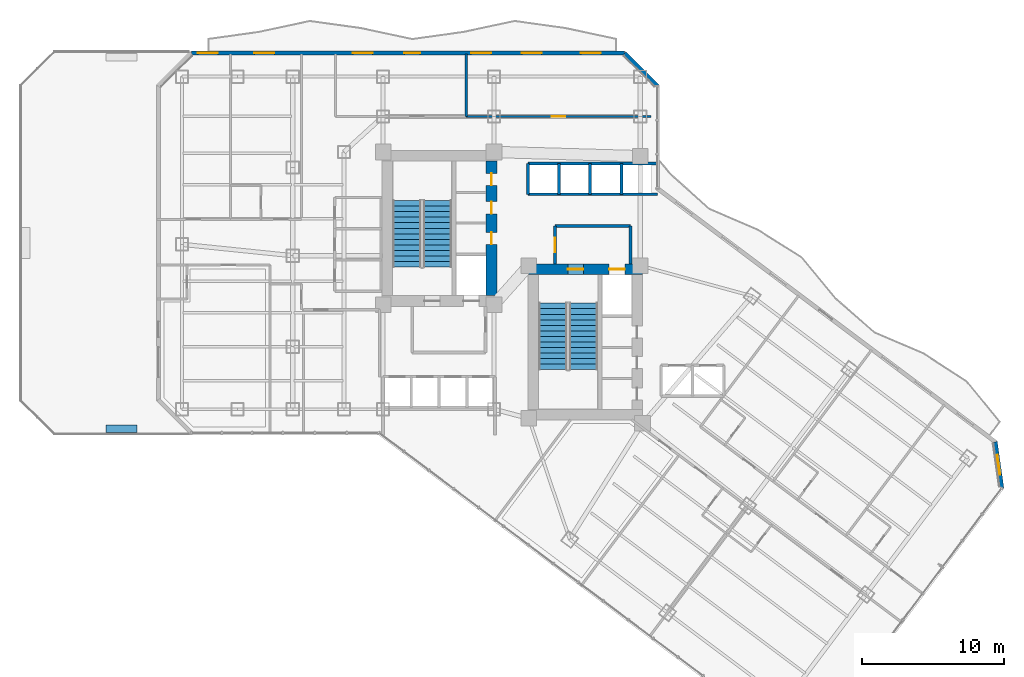
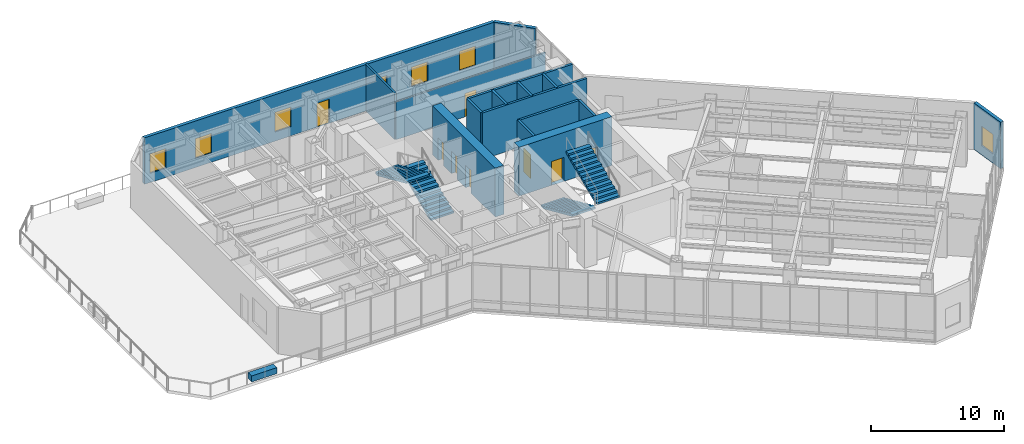
# One storey, part 19 of 27: 16 walls, 8 doors, 7 windows, 4 stair flights, 1 discrete accessory, 15 openings, 2 elements without a shape of their own.
"""IFC4 building model written with IfcOpenShell, lengths in metres."""

from ifc_helpers import new_model, si_unit, direction, frame, frame_2d, origin, origin_2d, place, context, subcontext, project, spatial, polyline, rectangle, outline, extrude, material, layer, layer_set, type_object, element, fill, aggregate, save


model = new_model("IFC4")

# Units and contexts
model_context = context("Model", 3, precision=1e-05, world=origin(), true_north=direction((0.0, 1.0)))
body_context = subcontext(model_context, "Body", "Model", "MODEL_VIEW")
ifc_project = project(units=[si_unit("LENGTHUNIT", "METRE"), si_unit("AREAUNIT", "SQUARE_METRE"), si_unit("VOLUMEUNIT", "CUBIC_METRE"), si_unit("PLANEANGLEUNIT", "RADIAN"), si_unit("MASSUNIT", "GRAM", prefix="KILO")], contexts=[model_context])

# Site, building, storey
site_placement = place(None, origin())
site = spatial("IfcSite", under=ifc_project, at=site_placement, CompositionType="ELEMENT")
building_placement = place(site_placement, origin())
building = spatial("IfcBuilding", under=site, at=building_placement, Name="Hatsunagi Terrace Concourse", CompositionType="ELEMENT")
storey_placement = place(building_placement, frame((0.0, 0.0, 70.10009765625)))
storey = spatial("IfcBuildingStorey", under=building, at=storey_placement, Name="L18", CompositionType="ELEMENT", Elevation=70.10009765625)

# Wall, openings, doors
ifc_material_1 = material(Name="Concrete Fc60", Category="concrete")
ifc_layer_1 = layer(ifc_material_1, 0.75)
ifc_layer_set_1 = layer_set([ifc_layer_1], Name="CoreShearWall_Fc60_750")
wall_type_1 = type_object("IfcWallType", Name="CoreShearWall_Fc60_750", PredefinedType="SHEAR", material=ifc_layer_set_1)
wall_1_placement = place(storey_placement, frame((33.175048828125, 33.18994140625, 0.0), z_axis=(0.0, 0.0, 1.0), x_axis=(0.0, 1.0, 0.0)))
wall_1 = element("IfcWall", 1, at=wall_1_placement, inside=storey, type_object=wall_type_1, Name="Core A Shear Wall E L18", PredefinedType="SHEAR", context=body_context, shape_type="SweptSolid", body=[
    extrude(rectangle(XDim=9.47998046875, YDim=0.75, at=frame_2d((4.739990234375, 0.0))), origin(), (0.0, 0.0, 1.0), 4.5),
])
opening_1_placement = place(wall_1_placement, frame((3.610107421875, 0.0, 0.0)))
opening_1 = element("IfcOpeningElement", 2, at=opening_1_placement, cuts=wall_1, Name="Opening DR-085", PredefinedType="OPENING", context=body_context, shape_type="SweptSolid", body=[
    extrude(rectangle(XDim=0.85009765625, YDim=2.080078125, at=frame_2d((0.425048828125, 1.0400390625))), frame((0.0, 0.385009765625, 0.0), z_axis=(0.0, -1.0, 0.0), x_axis=(1.0, 0.0, 0.0)), (0.0, 0.0, 1.0), 0.77001953125),
])
opening_2_placement = place(wall_1_placement, frame((5.760009765625, 0.0, 0.0)))
opening_2 = element("IfcOpeningElement", 3, at=opening_2_placement, cuts=wall_1, Name="Opening DR-085", PredefinedType="OPENING", context=body_context, shape_type="SweptSolid", body=[
    extrude(rectangle(XDim=0.85009765625, YDim=2.080078125, at=frame_2d((0.425048828125, 1.0400390625))), frame((0.0, 0.385009765625, 0.0), z_axis=(0.0, -1.0, 0.0), x_axis=(1.0, 0.0, 0.0)), (0.0, 0.0, 1.0), 0.77001953125),
])
opening_3_placement = place(wall_1_placement, frame((7.760009765625, 0.0, 0.0)))
opening_3 = element("IfcOpeningElement", 4, at=opening_3_placement, cuts=wall_1, Name="Opening DR-085", PredefinedType="OPENING", context=body_context, shape_type="SweptSolid", body=[
    extrude(rectangle(XDim=0.85009765625, YDim=2.080078125, at=frame_2d((0.425048828125, 1.0400390625))), frame((0.0, 0.385009765625, 0.0), z_axis=(0.0, -1.0, 0.0), x_axis=(1.0, 0.0, 0.0)), (0.0, 0.0, 1.0), 0.77001953125),
])
ifc_material_2 = material(Name="Painted steel", Category="steel")
door_type_1 = type_object("IfcDoorType", Name="RiserAccessDoor_EI60_850", OperationType="NOTDEFINED", PredefinedType="DOOR", material=ifc_material_2)
door_1_placement = place(opening_1_placement, origin())
door_1 = element("IfcDoor", 5, at=door_1_placement, inside=storey, type_object=door_type_1, Name="Core A Riser Door L18-1", OperationType="SINGLE_SWING_LEFT", OverallHeight=2.080078125, OverallWidth=0.85009765625, PredefinedType="DOOR", context=body_context, shape_type="SweptSolid", body=[
    extrude(rectangle(XDim=0.85009765625, YDim=2.080078125, at=frame_2d((0.425048828125, 1.0400390625))), frame((0.0, 0.02490234375, 0.0), z_axis=(0.0, -1.0, 0.0), x_axis=(1.0, 0.0, 0.0)), (0.0, 0.0, 1.0), 0.050048828125),
])
fill(opening_1, door_1)
door_2_placement = place(opening_2_placement, origin())
door_2 = element("IfcDoor", 6, at=door_2_placement, inside=storey, type_object=door_type_1, Name="Core A Riser Door L18-2", OperationType="SINGLE_SWING_LEFT", OverallHeight=2.080078125, OverallWidth=0.85009765625, PredefinedType="DOOR", context=body_context, shape_type="SweptSolid", body=[
    extrude(rectangle(XDim=0.85009765625, YDim=2.080078125, at=frame_2d((0.425048828125, 1.0400390625))), frame((0.0, 0.02490234375, 0.0), z_axis=(0.0, -1.0, 0.0), x_axis=(1.0, 0.0, 0.0)), (0.0, 0.0, 1.0), 0.050048828125),
])
fill(opening_2, door_2)
door_3_placement = place(opening_3_placement, origin())
door_3 = element("IfcDoor", 7, at=door_3_placement, inside=storey, type_object=door_type_1, Name="Core A Riser Door L18-3", OperationType="SINGLE_SWING_LEFT", OverallHeight=2.080078125, OverallWidth=0.85009765625, PredefinedType="DOOR", context=body_context, shape_type="SweptSolid", body=[
    extrude(rectangle(XDim=0.85009765625, YDim=2.080078125, at=frame_2d((0.425048828125, 1.0400390625))), frame((0.0, 0.02490234375, 0.0), z_axis=(0.0, -1.0, 0.0), x_axis=(1.0, 0.0, 0.0)), (0.0, 0.0, 1.0), 0.050048828125),
])
fill(opening_3, door_3)

wall_2_placement = place(storey_placement, frame((35.739990234375, 35.044921875, 0.0), z_axis=(0.0, 0.0, 1.0), x_axis=(1.0, 0.0, 0.0)))
wall_2 = element("IfcWall", 8, at=wall_2_placement, inside=storey, type_object=wall_type_1, Name="Core B Shear Wall N L18", PredefinedType="SHEAR", context=body_context, shape_type="SweptSolid", body=[
    extrude(rectangle(XDim=8.06005859375, YDim=0.75, at=frame_2d((4.030029296875, 0.0))), origin(), (0.0, 0.0, 1.0), 4.5),
])
opening_4_placement = place(wall_2_placement, frame((2.81005859375, 0.0, 0.0)))
opening_4 = element("IfcOpeningElement", 9, at=opening_4_placement, cuts=wall_2, Name="Opening DR-110S", PredefinedType="OPENING", context=body_context, shape_type="SweptSolid", body=[
    extrude(rectangle(XDim=1.10009765625, YDim=2.199951171875, at=frame_2d((0.550048828125, 1.10009765625))), frame((0.0, 0.385009765625, 0.0), z_axis=(0.0, -1.0, 0.0), x_axis=(1.0, 0.0, 0.0)), (0.0, 0.0, 1.0), 0.77001953125),
])
opening_5_placement = place(wall_2_placement, frame((5.7099609375, 0.0, 0.0)))
opening_5 = element("IfcOpeningElement", 10, at=opening_5_placement, cuts=wall_2, Name="Opening LD-02", PredefinedType="OPENING", context=body_context, shape_type="SweptSolid", body=[
    extrude(rectangle(XDim=1.1201171875, YDim=2.14990234375, at=frame_2d((0.56005859375, 1.074951171875))), frame((0.0, 0.385009765625, 0.0), z_axis=(0.0, -1.0, 0.0), x_axis=(1.0, 0.0, 0.0)), (0.0, 0.0, 1.0), 0.77001953125),
])
ifc_material_3 = material(Name="Stainless steel", Category="steel")
door_type_2 = type_object("IfcDoorType", Name="LiftLandingDoor_LD02", OperationType="SLIDING_TO_RIGHT", PredefinedType="USERDEFINED", material=ifc_material_3)
door_4_placement = place(opening_5_placement, origin())
door_4 = element("IfcDoor", 11, at=door_4_placement, inside=storey, type_object=door_type_2, Name="Lift landing door FF-02 L18", ObjectType="SLIDING_LANDING_DOOR", OperationType="SLIDING_TO_RIGHT", OverallHeight=2.14990234375, OverallWidth=1.1201171875, PredefinedType="USERDEFINED", context=body_context, shape_type="SweptSolid", body=[
    extrude(rectangle(XDim=1.1201171875, YDim=2.14990234375, at=frame_2d((0.56005859375, 1.074951171875))), frame((0.0, 0.02490234375, 0.0), z_axis=(0.0, -1.0, 0.0), x_axis=(1.0, 0.0, 0.0)), (0.0, 0.0, 1.0), 0.050048828125),
])
fill(opening_5, door_4)
ifc_material_4 = material(Name="Painted steel", Category="steel")
door_type_3 = type_object("IfcDoorType", Name="StairFireDoor_EI60_1100", OperationType="NOTDEFINED", PredefinedType="DOOR", material=ifc_material_4)
door_5_placement = place(opening_4_placement, origin())
door_5 = element("IfcDoor", 12, at=door_5_placement, inside=storey, type_object=door_type_3, Name="Stair ST-B Exit Door L18", OperationType="SINGLE_SWING_RIGHT", OverallHeight=2.199951171875, OverallWidth=1.10009765625, PredefinedType="DOOR", context=body_context, shape_type="SweptSolid", body=[
    extrude(rectangle(XDim=1.10009765625, YDim=2.199951171875, at=frame_2d((0.550048828125, 1.10009765625))), frame((0.0, 0.02490234375, 0.0), z_axis=(0.0, -1.0, 0.0), x_axis=(1.0, 0.0, 0.0)), (0.0, 0.0, 1.0), 0.050048828125),
])
fill(opening_4, door_5)

# Wall
ifc_material_5 = material(Name="Acoustic mineral board", Category="gypsum")
ifc_layer_2 = layer(ifc_material_5, 0.14990234375)
ifc_layer_set_2 = layer_set([ifc_layer_2], Name="PartitionWall_EI60_150")
wall_type_2 = type_object("IfcWallType", Name="PartitionWall_EI60_150", PredefinedType="PARTITIONING", material=ifc_layer_set_2)
wall_3_placement = place(storey_placement, frame((31.39990234375, 45.800048828125, 0.0), z_axis=(0.0, 0.0, 1.0), x_axis=(0.0, 1.0, 0.0)))
element("IfcWall", 13, at=wall_3_placement, inside=storey, type_object=wall_type_2, Name="Interior Partition IW-L18-041", PredefinedType="PARTITIONING", context=body_context, shape_type="SweptSolid", body=[
    extrude(rectangle(XDim=4.39990234375, YDim=0.14990234375, at=frame_2d((2.199951171875, 0.0))), origin(), (0.0, 0.0, 1.0), 4.27978515625),
])

# Wall, opening, door
wall_4_placement = place(storey_placement, frame((31.39990234375, 45.800048828125, 0.0), z_axis=(0.0, 0.0, 1.0), x_axis=(1.0, 0.0, 0.0)))
wall_4 = element("IfcWall", 14, at=wall_4_placement, inside=storey, type_object=wall_type_2, Name="Interior Partition IW-L18-042", PredefinedType="PARTITIONING", context=body_context, shape_type="SweptSolid", body=[
    extrude(rectangle(XDim=13.0, YDim=0.14990234375, at=frame_2d((6.5, 0.0))), origin(), (0.0, 0.0, 1.0), 3.474853515625),
])
opening_6_placement = place(wall_4_placement, frame((6.02490234375, 0.0, 0.0)))
opening_6 = element("IfcOpeningElement", 15, at=opening_6_placement, cuts=wall_4, Name="Opening DR-095", PredefinedType="OPENING", context=body_context, shape_type="SweptSolid", body=[
    extrude(rectangle(XDim=0.949951171875, YDim=2.14990234375, at=frame_2d((0.47509765625, 1.074951171875))), frame((0.0, 0.0849609375, 0.0), z_axis=(0.0, -1.0, 0.0), x_axis=(1.0, 0.0, 0.0)), (0.0, 0.0, 1.0), 0.169921875),
])
ifc_material_6 = material(Name="Hardwood timber", Category="wood")
door_type_4 = type_object("IfcDoorType", Name="InteriorSuiteDoor_EI30_950", OperationType="NOTDEFINED", PredefinedType="DOOR", material=ifc_material_6)
door_6_placement = place(opening_6_placement, origin())
door_6 = element("IfcDoor", 16, at=door_6_placement, inside=storey, type_object=door_type_4, Name="VIP Lounge L18-HLNG Door", OperationType="SINGLE_SWING_LEFT", OverallHeight=2.14990234375, OverallWidth=0.949951171875, PredefinedType="DOOR", context=body_context, shape_type="SweptSolid", body=[
    extrude(rectangle(XDim=0.949951171875, YDim=2.14990234375, at=frame_2d((0.47509765625, 1.074951171875))), frame((0.0, 0.02490234375, 0.0), z_axis=(0.0, -1.0, 0.0), x_axis=(1.0, 0.0, 0.0)), (0.0, 0.0, 1.0), 0.050048828125),
])
fill(opening_6, door_6)

# Walls
ifc_material_7 = material(Name="Acoustic mineral board", Category="gypsum")
ifc_layer_3 = layer(ifc_material_7, 0.199951171875)
ifc_layer_set_3 = layer_set([ifc_layer_3], Name="ShaftWall_EI120_200")
wall_type_3 = type_object("IfcWallType", Name="ShaftWall_EI120_200", PredefinedType="STANDARD", material=ifc_layer_set_3)
wall_5_placement = place(storey_placement, frame((37.64990234375, 38.10009765625, 0.0), z_axis=(0.0, 0.0, 1.0), x_axis=(1.0, 0.0, 0.0)))
element("IfcWall", 17, at=wall_5_placement, inside=storey, type_object=wall_type_3, Name="Interior Partition IW-L18-010", PredefinedType="STANDARD", context=body_context, shape_type="SweptSolid", body=[
    extrude(rectangle(XDim=5.300048828125, YDim=0.199951171875, at=frame_2d((2.64990234375, 0.0))), origin(), (0.0, 0.0, 1.0), 4.27978515625),
])
wall_6_placement = place(storey_placement, frame((42.949951171875, 35.419921875, 0.0), z_axis=(0.0, 0.0, 1.0), x_axis=(0.0, 1.0, 0.0)))
element("IfcWall", 18, at=wall_6_placement, inside=storey, type_object=wall_type_3, Name="Interior Partition IW-L18-011", PredefinedType="STANDARD", context=body_context, shape_type="SweptSolid", body=[
    extrude(rectangle(XDim=2.68017578125, YDim=0.199951171875, at=frame_2d((1.340087890625, 0.0))), origin(), (0.0, 0.0, 1.0), 4.27978515625),
])

# Wall, opening, door
wall_7_placement = place(storey_placement, frame((37.64990234375, 35.419921875, 0.0), z_axis=(0.0, 0.0, 1.0), x_axis=(0.0, 1.0, 0.0)))
wall_7 = element("IfcWall", 19, at=wall_7_placement, inside=storey, type_object=wall_type_3, Name="Interior Partition IW-L18-012", PredefinedType="STANDARD", context=body_context, shape_type="SweptSolid", body=[
    extrude(rectangle(XDim=2.68017578125, YDim=0.199951171875, at=frame_2d((1.340087890625, 0.0))), origin(), (0.0, 0.0, 1.0), 4.27978515625),
])
opening_7_placement = place(wall_7_placement, frame((0.840087890625, 0.0, 0.0)))
opening_7 = element("IfcOpeningElement", 20, at=opening_7_placement, cuts=wall_7, Name="Opening DR-100F", PredefinedType="OPENING", context=body_context, shape_type="SweptSolid", body=[
    extrude(rectangle(XDim=1.0, YDim=2.199951171875, at=frame_2d((0.5, 1.10009765625))), frame((0.0, 0.10986328125, 0.0), z_axis=(0.0, -1.0, 0.0), x_axis=(1.0, 0.0, 0.0)), (0.0, 0.0, 1.0), 0.219970703125),
])
ifc_material_8 = material(Name="Painted steel", Category="steel")
door_type_5 = type_object("IfcDoorType", Name="FireDoor_EI60_1000", OperationType="NOTDEFINED", PredefinedType="DOOR", material=ifc_material_8)
door_7_placement = place(opening_7_placement, origin())
door_7 = element("IfcDoor", 21, at=door_7_placement, inside=storey, type_object=door_type_5, Name="Firefighting Lobby B Door L18", OperationType="SINGLE_SWING_RIGHT", OverallHeight=2.199951171875, OverallWidth=1.0, PredefinedType="DOOR", context=body_context, shape_type="SweptSolid", body=[
    extrude(rectangle(XDim=1.0, YDim=2.199951171875, at=frame_2d((0.5, 1.10009765625))), frame((0.0, 0.02490234375, 0.0), z_axis=(0.0, -1.0, 0.0), x_axis=(1.0, 0.0, 0.0)), (0.0, 0.0, 1.0), 0.050048828125),
])
fill(opening_7, door_7)

# Walls
wall_8_placement = place(storey_placement, frame((35.75, 42.47998046875, 0.0), z_axis=(0.0, 0.0, 1.0), x_axis=(1.0, 0.0, 0.0)))
element("IfcWall", 22, at=wall_8_placement, inside=storey, type_object=wall_type_3, Name="Interior Partition IW-L18-020", PredefinedType="STANDARD", context=body_context, shape_type="SweptSolid", body=[
    extrude(rectangle(XDim=9.110107421875, YDim=0.199951171875, at=frame_2d((4.55517578125, 0.0))), origin(), (0.0, 0.0, 1.0), 4.27978515625),
])
for number, where, z_axis, x_axis, name in (
    (23, (35.75, 40.320068359375, 0.0), (0.0, 0.0, 1.0), (0.0, 1.0, 0.0), "Interior Partition IW-L18-021"),
    (24, (37.919921875, 40.320068359375, 0.0), (0.0, 0.0, 1.0), (0.0, 1.0, 0.0), "Interior Partition IW-L18-022"),
    (25, (40.1201171875, 40.320068359375, 0.0), (0.0, 0.0, 1.0), (0.0, 1.0, 0.0), "Interior Partition IW-L18-023"),
    (26, (42.320068359375, 40.320068359375, 0.0), (0.0, 0.0, 1.0), (0.0, 1.0, 0.0), "Interior Partition IW-L18-024"),
):
    element("IfcWall", number, at=place(storey_placement, frame(where, z_axis=z_axis, x_axis=x_axis)), inside=storey, type_object=wall_type_3, Name=name, PredefinedType="STANDARD", context=body_context, shape_type="SweptSolid", body=[
        extrude(rectangle(XDim=2.159912109375, YDim=0.199951171875, at=frame_2d((1.080078125, 0.0))), origin(), (0.0, 0.0, 1.0), 4.27978515625),
    ])
wall_9_placement = place(storey_placement, frame((35.75, 40.320068359375, 0.0), z_axis=(0.0, 0.0, 1.0), x_axis=(1.0, 0.0, 0.0)))
element("IfcWall", 27, at=wall_9_placement, inside=storey, type_object=wall_type_3, Name="Interior Partition IW-L18-025", PredefinedType="STANDARD", context=body_context, shape_type="SweptSolid", body=[
    extrude(rectangle(XDim=9.110107421875, YDim=0.199951171875, at=frame_2d((4.55517578125, 0.0))), origin(), (0.0, 0.0, 1.0), 4.27978515625),
])

# Wall, opening, window
ifc_material_9 = material(Name="Autoclaved Lightweight Concrete and Terracotta Cladding", Category="masonry")
ifc_layer_4 = layer(ifc_material_9, 0.280029296875)
ifc_layer_set_4 = layer_set([ifc_layer_4], Name="TerracottaSpandrelWall_280")
wall_type_4 = type_object("IfcWallType", Name="TerracottaSpandrelWall_280", PredefinedType="STANDARD", material=ifc_layer_set_4)
wall_10_placement = place(storey_placement, frame((68.6298828125, 22.903076171875, 0.0), z_axis=(0.0, 0.0, 1.0), x_axis=(0.141285803956, -0.989968848803, 0.0)))
wall_10 = element("IfcWall", 28, at=wall_10_placement, inside=storey, type_object=wall_type_4, Name="Exterior Spandrel Wall EW-L18-02", PredefinedType="STANDARD", context=body_context, shape_type="SweptSolid", body=[
    extrude(rectangle(XDim=3.278076171875, YDim=0.280029296875, at=frame_2d((1.63916015625, 0.0))), origin(), (0.0, 0.0, 1.0), 4.27978515625),
])
opening_8_placement = place(wall_10_placement, frame((0.93896484375, 0.0, 0.85009765625)))
opening_8 = element("IfcOpeningElement", 29, at=opening_8_placement, cuts=wall_10, Name="Opening WIN-02", PredefinedType="OPENING", context=body_context, shape_type="SweptSolid", body=[
    extrude(rectangle(XDim=1.39990234375, YDim=1.800048828125, at=frame_2d((0.699951171875, 0.89990234375))), frame((0.0, 0.14990234375, 0.0), z_axis=(0.0, -1.0, 0.0), x_axis=(1.0, 0.0, 0.0)), (0.0, 0.0, 1.0), 0.300048828125),
])
ifc_material_10 = material(Name="Thermally Broken Aluminium and Low-E Triple Glazing", Category="aluminium")
window_type = type_object("IfcWindowType", Name="HotelOperableVentWindow_1400x1800", PartitioningType="DOUBLE_PANEL_VERTICAL", PredefinedType="WINDOW", material=ifc_material_10)
window_1_placement = place(opening_8_placement, origin())
window_1 = element("IfcWindow", 30, at=window_1_placement, inside=storey, type_object=window_type, Name="Hotel Guestroom Window L18-02-1", OverallHeight=1.800048828125, OverallWidth=1.39990234375, PartitioningType="SINGLE_PANEL", PredefinedType="WINDOW", context=body_context, shape_type="SweptSolid", body=[
    extrude(rectangle(XDim=1.39990234375, YDim=1.800048828125, at=frame_2d((0.699951171875, 0.89990234375))), frame((0.0, 0.030029296875, 0.0), z_axis=(0.0, -1.0, 0.0), x_axis=(1.0, 0.0, 0.0)), (0.0, 0.0, 1.0), 0.06005859375),
])
fill(opening_8, window_1)

# Wall, openings, door, windows
wall_11_placement = place(storey_placement, frame((12.05810546875, 50.260009765625, 0.0), z_axis=(0.0, 0.0, 1.0), x_axis=(1.0, 0.0, 0.0)))
wall_11 = element("IfcWall", 31, at=wall_11_placement, inside=storey, type_object=wall_type_4, Name="Exterior Spandrel Wall EW-L18-11", PredefinedType="STANDARD", context=body_context, shape_type="SweptSolid", body=[
    extrude(rectangle(XDim=30.48388671875, YDim=0.280029296875, at=frame_2d((15.241943359375, 0.0))), origin(), (0.0, 0.0, 1.0), 4.27978515625),
])
opening_9_placement = place(wall_11_placement, frame((14.991943359375, 0.0, 0.0)))
opening_9 = element("IfcOpeningElement", 32, at=opening_9_placement, cuts=wall_11, Name="Opening BD-01", PredefinedType="OPENING", context=body_context, shape_type="SweptSolid", body=[
    extrude(rectangle(XDim=1.10009765625, YDim=2.199951171875, at=frame_2d((0.550048828125, 1.10009765625))), frame((0.0, 0.14990234375, 0.0), z_axis=(0.0, -1.0, 0.0), x_axis=(1.0, 0.0, 0.0)), (0.0, 0.0, 1.0), 0.300048828125),
])
opening_10_placement = place(wall_11_placement, frame((0.4599609375, 0.0, 0.85009765625)))
opening_10 = element("IfcOpeningElement", 33, at=opening_10_placement, cuts=wall_11, Name="Opening WIN-02", PredefinedType="OPENING", context=body_context, shape_type="SweptSolid", body=[
    extrude(rectangle(XDim=1.39990234375, YDim=1.800048828125, at=frame_2d((0.699951171875, 0.89990234375))), frame((0.0, 0.14990234375, 0.0), z_axis=(0.0, -1.0, 0.0), x_axis=(1.0, 0.0, 0.0)), (0.0, 0.0, 1.0), 0.300048828125),
])
opening_11_placement = place(wall_11_placement, frame((4.43505859375, 0.0, 0.85009765625)))
opening_11 = element("IfcOpeningElement", 34, at=opening_11_placement, cuts=wall_11, Name="Opening WIN-02", PredefinedType="OPENING", context=body_context, shape_type="SweptSolid", body=[
    extrude(rectangle(XDim=1.39990234375, YDim=1.800048828125, at=frame_2d((0.699951171875, 0.89990234375))), frame((0.0, 0.14990234375, 0.0), z_axis=(0.0, -1.0, 0.0), x_axis=(1.0, 0.0, 0.0)), (0.0, 0.0, 1.0), 0.300048828125),
])
opening_12_placement = place(wall_11_placement, frame((11.361083984375, 0.0, 0.85009765625)))
opening_12 = element("IfcOpeningElement", 35, at=opening_12_placement, cuts=wall_11, Name="Opening WIN-02", PredefinedType="OPENING", context=body_context, shape_type="SweptSolid", body=[
    extrude(rectangle(XDim=1.39990234375, YDim=1.800048828125, at=frame_2d((0.699951171875, 0.89990234375))), frame((0.0, 0.14990234375, 0.0), z_axis=(0.0, -1.0, 0.0), x_axis=(1.0, 0.0, 0.0)), (0.0, 0.0, 1.0), 0.300048828125),
])
opening_13_placement = place(wall_11_placement, frame((19.693115234375, 0.0, 0.85009765625)))
opening_13 = element("IfcOpeningElement", 36, at=opening_13_placement, cuts=wall_11, Name="Opening WIN-02", PredefinedType="OPENING", context=body_context, shape_type="SweptSolid", body=[
    extrude(rectangle(XDim=1.39990234375, YDim=1.800048828125, at=frame_2d((0.699951171875, 0.89990234375))), frame((0.0, 0.14990234375, 0.0), z_axis=(0.0, -1.0, 0.0), x_axis=(1.0, 0.0, 0.0)), (0.0, 0.0, 1.0), 0.300048828125),
])
opening_14_placement = place(wall_11_placement, frame((23.251953125, 0.0, 0.85009765625)))
opening_14 = element("IfcOpeningElement", 37, at=opening_14_placement, cuts=wall_11, Name="Opening WIN-02", PredefinedType="OPENING", context=body_context, shape_type="SweptSolid", body=[
    extrude(rectangle(XDim=1.39990234375, YDim=1.800048828125, at=frame_2d((0.699951171875, 0.89990234375))), frame((0.0, 0.14990234375, 0.0), z_axis=(0.0, -1.0, 0.0), x_axis=(1.0, 0.0, 0.0)), (0.0, 0.0, 1.0), 0.300048828125),
])
opening_15_placement = place(wall_11_placement, frame((27.4169921875, 0.0, 0.85009765625)))
opening_15 = element("IfcOpeningElement", 38, at=opening_15_placement, cuts=wall_11, Name="Opening WIN-02", PredefinedType="OPENING", context=body_context, shape_type="SweptSolid", body=[
    extrude(rectangle(XDim=1.39990234375, YDim=1.800048828125, at=frame_2d((0.699951171875, 0.89990234375))), frame((0.0, 0.14990234375, 0.0), z_axis=(0.0, -1.0, 0.0), x_axis=(1.0, 0.0, 0.0)), (0.0, 0.0, 1.0), 0.300048828125),
])
ifc_material_11 = material(Name="Galvanised Steel and Laminated Safety Glass", Category="steel")
door_type_6 = type_object("IfcDoorType", Name="BalconyTerraceAccessDoor_1100x2200", OperationType="SINGLE_SWING_LEFT", PredefinedType="DOOR", material=ifc_material_11)
door_8_placement = place(opening_9_placement, origin())
door_8 = element("IfcDoor", 39, at=door_8_placement, inside=storey, type_object=door_type_6, Name="Engawa Balcony Door L18-BN", OperationType="SINGLE_SWING_RIGHT", OverallHeight=2.199951171875, OverallWidth=1.10009765625, PredefinedType="DOOR", context=body_context, shape_type="SweptSolid", body=[
    extrude(rectangle(XDim=1.10009765625, YDim=2.199951171875, at=frame_2d((0.550048828125, 1.10009765625))), frame((0.0, 0.02490234375, 0.0), z_axis=(0.0, -1.0, 0.0), x_axis=(1.0, 0.0, 0.0)), (0.0, 0.0, 1.0), 0.050048828125),
])
fill(opening_9, door_8)
window_2_placement = place(opening_10_placement, origin())
window_2 = element("IfcWindow", 40, at=window_2_placement, inside=storey, type_object=window_type, Name="Balcony Daylighting Window L18-11-1", OverallHeight=1.800048828125, OverallWidth=1.39990234375, PartitioningType="SINGLE_PANEL", PredefinedType="WINDOW", context=body_context, shape_type="SweptSolid", body=[
    extrude(rectangle(XDim=1.39990234375, YDim=1.800048828125, at=frame_2d((0.699951171875, 0.89990234375))), frame((0.0, 0.030029296875, 0.0), z_axis=(0.0, -1.0, 0.0), x_axis=(1.0, 0.0, 0.0)), (0.0, 0.0, 1.0), 0.06005859375),
])
fill(opening_10, window_2)
window_3_placement = place(opening_11_placement, origin())
window_3 = element("IfcWindow", 41, at=window_3_placement, inside=storey, type_object=window_type, Name="Balcony Daylighting Window L18-11-2", OverallHeight=1.800048828125, OverallWidth=1.39990234375, PartitioningType="SINGLE_PANEL", PredefinedType="WINDOW", context=body_context, shape_type="SweptSolid", body=[
    extrude(rectangle(XDim=1.39990234375, YDim=1.800048828125, at=frame_2d((0.699951171875, 0.89990234375))), frame((0.0, 0.030029296875, 0.0), z_axis=(0.0, -1.0, 0.0), x_axis=(1.0, 0.0, 0.0)), (0.0, 0.0, 1.0), 0.06005859375),
])
fill(opening_11, window_3)
window_4_placement = place(opening_12_placement, origin())
window_4 = element("IfcWindow", 42, at=window_4_placement, inside=storey, type_object=window_type, Name="Balcony Daylighting Window L18-11-3", OverallHeight=1.800048828125, OverallWidth=1.39990234375, PartitioningType="SINGLE_PANEL", PredefinedType="WINDOW", context=body_context, shape_type="SweptSolid", body=[
    extrude(rectangle(XDim=1.39990234375, YDim=1.800048828125, at=frame_2d((0.699951171875, 0.89990234375))), frame((0.0, 0.030029296875, 0.0), z_axis=(0.0, -1.0, 0.0), x_axis=(1.0, 0.0, 0.0)), (0.0, 0.0, 1.0), 0.06005859375),
])
fill(opening_12, window_4)
window_5_placement = place(opening_13_placement, origin())
window_5 = element("IfcWindow", 43, at=window_5_placement, inside=storey, type_object=window_type, Name="Balcony Daylighting Window L18-11-5", OverallHeight=1.800048828125, OverallWidth=1.39990234375, PartitioningType="SINGLE_PANEL", PredefinedType="WINDOW", context=body_context, shape_type="SweptSolid", body=[
    extrude(rectangle(XDim=1.39990234375, YDim=1.800048828125, at=frame_2d((0.699951171875, 0.89990234375))), frame((0.0, 0.030029296875, 0.0), z_axis=(0.0, -1.0, 0.0), x_axis=(1.0, 0.0, 0.0)), (0.0, 0.0, 1.0), 0.06005859375),
])
fill(opening_13, window_5)
window_6_placement = place(opening_14_placement, origin())
window_6 = element("IfcWindow", 44, at=window_6_placement, inside=storey, type_object=window_type, Name="Balcony Daylighting Window L18-11-6", OverallHeight=1.800048828125, OverallWidth=1.39990234375, PartitioningType="SINGLE_PANEL", PredefinedType="WINDOW", context=body_context, shape_type="SweptSolid", body=[
    extrude(rectangle(XDim=1.39990234375, YDim=1.800048828125, at=frame_2d((0.699951171875, 0.89990234375))), frame((0.0, 0.030029296875, 0.0), z_axis=(0.0, -1.0, 0.0), x_axis=(1.0, 0.0, 0.0)), (0.0, 0.0, 1.0), 0.06005859375),
])
fill(opening_14, window_6)
window_7_placement = place(opening_15_placement, origin())
window_7 = element("IfcWindow", 45, at=window_7_placement, inside=storey, type_object=window_type, Name="Balcony Daylighting Window L18-11-7", OverallHeight=1.800048828125, OverallWidth=1.39990234375, PartitioningType="SINGLE_PANEL", PredefinedType="WINDOW", context=body_context, shape_type="SweptSolid", body=[
    extrude(rectangle(XDim=1.39990234375, YDim=1.800048828125, at=frame_2d((0.699951171875, 0.89990234375))), frame((0.0, 0.030029296875, 0.0), z_axis=(0.0, -1.0, 0.0), x_axis=(1.0, 0.0, 0.0)), (0.0, 0.0, 1.0), 0.06005859375),
])
fill(opening_15, window_7)

# Wall
wall_12_placement = place(storey_placement, frame((42.5419921875, 50.260009765625, 0.0), z_axis=(0.0, 0.0, 1.0), x_axis=(0.707106781187, -0.707106781187, 0.0)))
element("IfcWall", 46, at=wall_12_placement, inside=storey, type_object=wall_type_4, Name="Exterior Spandrel Wall EW-L18-12", PredefinedType="STANDARD", context=body_context, shape_type="SweptSolid", body=[
    extrude(rectangle(XDim=3.2783203125, YDim=0.280029296875, at=frame_2d((1.63916015625, 0.0))), origin(), (0.0, 0.0, 1.0), 4.27978515625),
])

# Stair, stair flights
ifc_material_12 = material(Name="Concrete Fc42", Category="concrete")
stair_type = type_object("IfcStairType", Name="DoglegExitStair_Tower2000_26R_173", PredefinedType="HALF_TURN_STAIR", material=ifc_material_12)
stair_1_placement = place(storey_placement, origin())
stair_1 = element("IfcStair", 47, at=stair_1_placement, inside=storey, type_object=stair_type, Name="L18 Core A Protected Exit Stair ST-A", PredefinedType="HALF_TURN_STAIR")
ifc_material_13 = material(Name="Concrete Fc42", Category="concrete")
stair_flight_type = type_object("IfcStairFlightType", Name="DoglegStairFlight_Tower2000_26R_173", PredefinedType="STRAIGHT", material=ifc_material_13)
stair_flight_1_placement = place(storey_placement, frame((29.3798828125, 35.199951171875, 0.0), z_axis=(0.0, 0.0, 1.0), x_axis=(0.0, 1.0, 0.0)))
stair_flight_1 = element("IfcStairFlight", 48, at=stair_flight_1_placement, type_object=stair_flight_type, Name="ST-A flight 1", NumberOfRisers=13, NumberOfTreads=12, PredefinedType="STRAIGHT", RiserHeight=0.173076923, TreadLength=0.39, context=body_context, shape_type="SweptSolid", body=[
    extrude(outline(polyline([(0.0, 0.0), (0.0, 0.173095703125), (0.389892578125, 0.173095703125), (0.389892578125, 0.34619140625), (0.780029296875, 0.34619140625), (0.780029296875, 0.519287109375), (1.169921875, 0.519287109375), (1.169921875, 0.6923828125), (1.56005859375, 0.6923828125), (1.56005859375, 0.865478515625), (1.949951171875, 0.865478515625), (1.949951171875, 1.03857421875), (2.340087890625, 1.03857421875), (2.340087890625, 1.21142578125), (2.72998046875, 1.21142578125), (2.72998046875, 1.384521484375), (3.1201171875, 1.384521484375), (3.1201171875, 1.5576171875), (3.510009765625, 1.5576171875), (3.510009765625, 1.730712890625), (3.89990234375, 1.730712890625), (3.89990234375, 1.90380859375), (4.2900390625, 1.90380859375), (4.2900390625, 2.076904296875), (4.679931640625, 2.076904296875), (4.679931640625, 2.25), (4.679931640625, 1.912841796875), (0.36962890625, 0.0), (0.0, 0.0)])), frame((0.0, 1.0, 0.0), z_axis=(0.0, -1.0, 0.0), x_axis=(1.0, 0.0, 0.0)), (0.0, 0.0, 1.0), 2.0),
])
stair_flight_2_placement = place(storey_placement, frame((27.22998046875, 39.8798828125, 2.25), z_axis=(0.0, 0.0, 1.0), x_axis=(0.0, -1.0, 0.0)))
stair_flight_2 = element("IfcStairFlight", 49, at=stair_flight_2_placement, type_object=stair_flight_type, Name="ST-A flight 2", NumberOfRisers=13, NumberOfTreads=12, PredefinedType="STRAIGHT", RiserHeight=0.173076923, TreadLength=0.39, context=body_context, shape_type="SweptSolid", body=[
    extrude(outline(polyline([(0.0, 0.0), (0.0, 0.173095703125), (0.389892578125, 0.173095703125), (0.389892578125, 0.34619140625), (0.780029296875, 0.34619140625), (0.780029296875, 0.519287109375), (1.169921875, 0.519287109375), (1.169921875, 0.6923828125), (1.56005859375, 0.6923828125), (1.56005859375, 0.865478515625), (1.949951171875, 0.865478515625), (1.949951171875, 1.03857421875), (2.340087890625, 1.03857421875), (2.340087890625, 1.21142578125), (2.72998046875, 1.21142578125), (2.72998046875, 1.384521484375), (3.1201171875, 1.384521484375), (3.1201171875, 1.5576171875), (3.510009765625, 1.5576171875), (3.510009765625, 1.730712890625), (3.89990234375, 1.730712890625), (3.89990234375, 1.90380859375), (4.2900390625, 1.90380859375), (4.2900390625, 2.076904296875), (4.679931640625, 2.076904296875), (4.679931640625, 2.25), (4.679931640625, 1.912841796875), (0.36962890625, 0.0), (0.0, 0.0)])), frame((0.0, 1.0, 0.0), z_axis=(0.0, -1.0, 0.0), x_axis=(1.0, 0.0, 0.0)), (0.0, 0.0, 1.0), 2.0),
])
aggregate(stair_1, [stair_flight_1, stair_flight_2])

stair_2_placement = place(storey_placement, origin())
stair_2 = element("IfcStair", 50, at=stair_2_placement, inside=storey, type_object=stair_type, Name="L18 Core B Protected Exit Stair ST-B", PredefinedType="HALF_TURN_STAIR")
stair_flight_3_placement = place(storey_placement, frame((37.5, 32.659912109375, 0.0), z_axis=(0.0, 0.0, 1.0), x_axis=(0.0, -1.0, 0.0)))
stair_flight_3 = element("IfcStairFlight", 51, at=stair_flight_3_placement, type_object=stair_flight_type, Name="ST-B flight 1", NumberOfRisers=13, NumberOfTreads=12, PredefinedType="STRAIGHT", RiserHeight=0.173076923, TreadLength=0.39, context=body_context, shape_type="SweptSolid", body=[
    extrude(outline(polyline([(0.0, 0.0), (0.0, 0.173095703125), (0.389892578125, 0.173095703125), (0.389892578125, 0.34619140625), (0.780029296875, 0.34619140625), (0.780029296875, 0.519287109375), (1.169921875, 0.519287109375), (1.169921875, 0.6923828125), (1.56005859375, 0.6923828125), (1.56005859375, 0.865478515625), (1.949951171875, 0.865478515625), (1.949951171875, 1.03857421875), (2.340087890625, 1.03857421875), (2.340087890625, 1.21142578125), (2.72998046875, 1.21142578125), (2.72998046875, 1.384521484375), (3.1201171875, 1.384521484375), (3.1201171875, 1.5576171875), (3.510009765625, 1.5576171875), (3.510009765625, 1.730712890625), (3.89990234375, 1.730712890625), (3.89990234375, 1.90380859375), (4.2900390625, 1.90380859375), (4.2900390625, 2.076904296875), (4.679931640625, 2.076904296875), (4.679931640625, 2.25), (4.679931640625, 1.912841796875), (0.36962890625, 0.0), (0.0, 0.0)])), frame((0.0, 1.0, 0.0), z_axis=(0.0, -1.0, 0.0), x_axis=(1.0, 0.0, 0.0)), (0.0, 0.0, 1.0), 2.0),
])
stair_flight_4_placement = place(storey_placement, frame((39.64990234375, 27.97998046875, 2.25), z_axis=(0.0, 0.0, 1.0), x_axis=(0.0, 1.0, 0.0)))
stair_flight_4 = element("IfcStairFlight", 52, at=stair_flight_4_placement, type_object=stair_flight_type, Name="ST-B flight 2", NumberOfRisers=13, NumberOfTreads=12, PredefinedType="STRAIGHT", RiserHeight=0.173076923, TreadLength=0.39, context=body_context, shape_type="SweptSolid", body=[
    extrude(outline(polyline([(0.0, 0.0), (0.0, 0.173095703125), (0.389892578125, 0.173095703125), (0.389892578125, 0.34619140625), (0.780029296875, 0.34619140625), (0.780029296875, 0.519287109375), (1.169921875, 0.519287109375), (1.169921875, 0.6923828125), (1.56005859375, 0.6923828125), (1.56005859375, 0.865478515625), (1.949951171875, 0.865478515625), (1.949951171875, 1.03857421875), (2.340087890625, 1.03857421875), (2.340087890625, 1.21142578125), (2.72998046875, 1.21142578125), (2.72998046875, 1.384521484375), (3.1201171875, 1.384521484375), (3.1201171875, 1.5576171875), (3.510009765625, 1.5576171875), (3.510009765625, 1.730712890625), (3.89990234375, 1.730712890625), (3.89990234375, 1.90380859375), (4.2900390625, 1.90380859375), (4.2900390625, 2.076904296875), (4.679931640625, 2.076904296875), (4.679931640625, 2.25), (4.679931640625, 1.912841796875), (0.36962890625, 0.0), (0.0, 0.0)])), frame((0.0, 1.0, 0.0), z_axis=(0.0, -1.0, 0.0), x_axis=(1.0, 0.0, 0.0)), (0.0, 0.0, 1.0), 2.0),
])
aggregate(stair_2, [stair_flight_3, stair_flight_4])

# Discrete accessory
ifc_material_14 = material(Name="Architectural Precast Terracotta Planter", Category="masonry")
discrete_accessory_type = type_object("IfcDiscreteAccessoryType", Name="SkyGardenPlanterEdge_450", PredefinedType="USERDEFINED", material=ifc_material_14)
discrete_accessory_placement = place(storey_placement, frame((7.14111328125, 23.830078125, 0.0400390625), z_axis=(0.0, 0.0, 1.0), x_axis=(-1.0, 0.0, 0.0)))
element("IfcDiscreteAccessory", 53, at=discrete_accessory_placement, inside=storey, type_object=discrete_accessory_type, Name="Sky Garden Terrace Planter TER-L18-1-8", ObjectType="PLANTER", PredefinedType="USERDEFINED", context=body_context, shape_type="SweptSolid", body=[
    extrude(rectangle(XDim=2.199951171875, YDim=0.550048828125, at=origin_2d()), origin(), (0.0, 0.0, 1.0), 0.550048828125),
])

save(model, "model.ifc")
